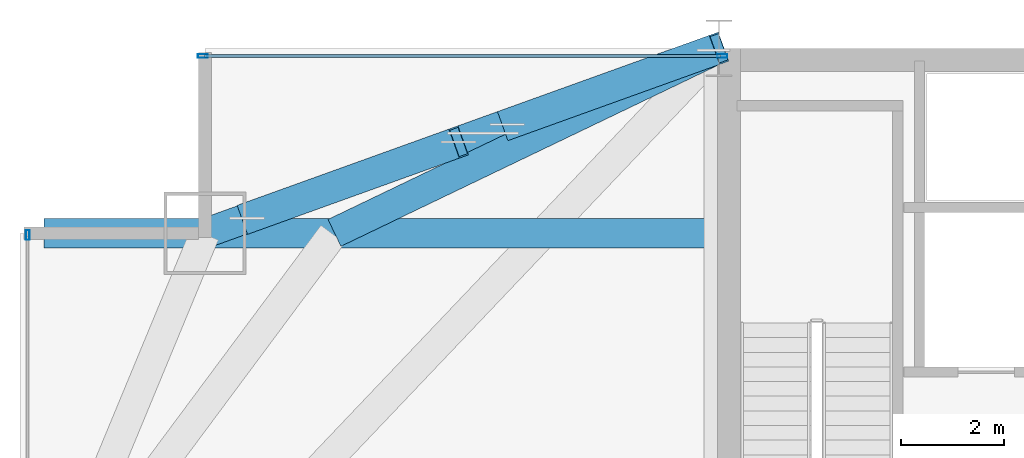
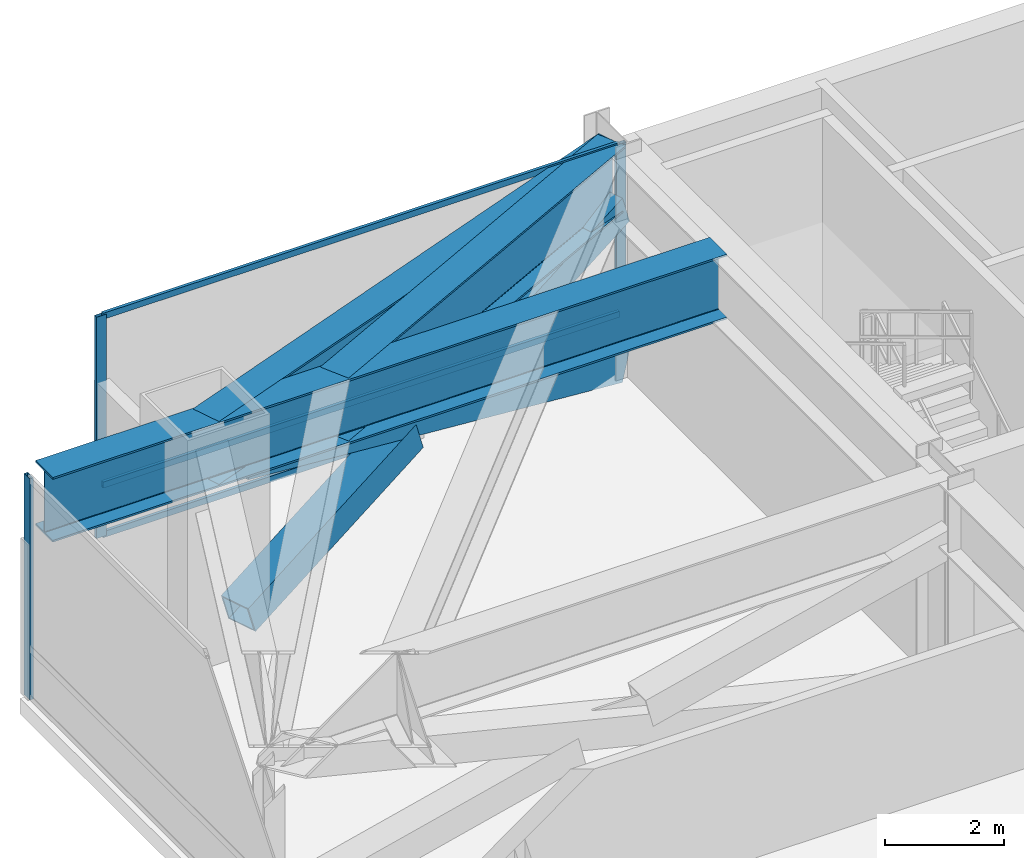
# One storey, part 22 of 30: 9 members, 3 beams, 2 elements without a shape of their own.
"""IFC4 building model written with IfcOpenShell, lengths in metres."""

import ifcopenshell
import ifcopenshell.guid

model = None  # the IFC model being written
_history = None  # IfcOwnerHistory: only IFC2X3 demands one
_inside = {}  # id of a spatial element -> (the spatial element, [elements in it])
_under = {}  # id of a project, library or spatial element -> (it, [spatial elements below it])
_declared = {}  # id of a project -> (the project, [libraries it declares])
_typed = {}  # id of a type object -> (the type object, [elements of that type])
_made_of = {}  # id of a material, layer set ... -> (it, [elements and type objects made of it])


def new_model(schema):
    """Start an empty IFC model of exactly this schema.

    Asked for "IFC4X3", IfcOpenShell would pick the latest addendum, in which some entities
    have other attributes; the version numbers below select the first issue.
    IFC2X3 requires an IfcOwnerHistory on every rooted entity: one is made here for all.
    """
    global model, _history
    if schema == "IFC4X3":
        model = ifcopenshell.file(schema_version=(4, 3, 0, 0))
    else:
        model = ifcopenshell.file(schema=schema)
    _inside.clear()
    _under.clear()
    _declared.clear()
    _typed.clear()
    _made_of.clear()
    _history = None
    if model.schema == "IFC2X3":
        org = make("IfcOrganization", Name="unknown")
        user = make(
            "IfcPersonAndOrganization",
            ThePerson=make("IfcPerson", FamilyName="unknown"),
            TheOrganization=org,
        )
        app = make(
            "IfcApplication",
            ApplicationDeveloper=org,
            Version="unknown",
            ApplicationFullName="unknown",
            ApplicationIdentifier="unknown",
        )
        _history = make(
            "IfcOwnerHistory",
            OwningUser=user,
            OwningApplication=app,
            ChangeAction="ADDED",
            CreationDate=0,
        )
    return model


def make(cls, **values):
    """One entity of the class cls with the attributes given. An attribute that is None is left unset."""
    return model.create_entity(
        cls, **{name: value for name, value in values.items() if value is not None}
    )


def rooted(cls, **values):
    """An entity with a GlobalId (a new one), such as an element, a storey or a relation."""
    return make(cls, GlobalId=ifcopenshell.guid.new(), OwnerHistory=_history, **values)


def si_unit(unit_type, name, prefix=None):
    """IfcSIUnit, for example si_unit("LENGTHUNIT", "METRE", prefix="MILLI")."""
    return make("IfcSIUnit", UnitType=unit_type, Prefix=prefix, Name=name)


def assignment(units):
    """IfcUnitAssignment: the units of a project."""
    return None if units is None else make("IfcUnitAssignment", Units=units)


def point(xyz):
    """IfcCartesianPoint."""
    return None if xyz is None else make("IfcCartesianPoint", Coordinates=xyz)


def direction(xyz):
    """IfcDirection."""
    return None if xyz is None else make("IfcDirection", DirectionRatios=xyz)


def frame(location, z_axis=None, x_axis=None):
    """IfcAxis2Placement3D, a coordinate frame: its origin and axes. An axis left out is left unset."""
    return make(
        "IfcAxis2Placement3D",
        Location=point(location),
        Axis=direction(z_axis),
        RefDirection=direction(x_axis),
    )


def frame_2d(location, x_axis=None):
    """IfcAxis2Placement2D, a coordinate frame in the plane: its origin and x axis."""
    return make(
        "IfcAxis2Placement2D", Location=point(location), RefDirection=direction(x_axis)
    )


def origin():
    """The frame at (0, 0, 0) with its axes left unset."""
    return frame((0.0, 0.0, 0.0))


def origin_2d():
    """The frame at (0, 0) in the plane with its x axis left unset."""
    return frame_2d((0.0, 0.0))


def place(relative_to, where):
    """IfcLocalPlacement: puts the frame where relative to a parent placement (None: the world)."""
    return make(
        "IfcLocalPlacement", PlacementRelTo=relative_to, RelativePlacement=where
    )


def context(
    kind, dimensions, precision=None, world=None, true_north=None, identifier=None
):
    """IfcGeometricRepresentationContext, for example the 3D "Model" context."""
    return make(
        "IfcGeometricRepresentationContext",
        ContextIdentifier=identifier,
        ContextType=kind,
        CoordinateSpaceDimension=dimensions,
        Precision=precision,
        WorldCoordinateSystem=world,
        TrueNorth=true_north,
    )


def subcontext(parent, identifier, kind, view, scale=None):
    """IfcGeometricRepresentationSubContext, for example "Body" below "Model"."""
    return make(
        "IfcGeometricRepresentationSubContext",
        ContextIdentifier=identifier,
        ContextType=kind,
        ParentContext=parent,
        TargetScale=scale,
        TargetView=view,
    )


def project(units=None, contexts=None):
    """IfcProject with its units and contexts."""
    return rooted(
        "IfcProject",
        Name="project",
        RepresentationContexts=contexts,
        UnitsInContext=assignment(units),
    )


def spatial(cls, under=None, at=None, **own):
    """A site, building, storey or space (cls), placed at a placement, below another one or the project."""
    s = rooted(cls, ObjectPlacement=at, **own)
    if under is not None:
        _under.setdefault(under.id(), (under, []))[1].append(s)
    return s


def profile(cls, at=None, kind="AREA", **sizes):
    """A parametric profile (cls). Its sizes go by their IFC names, for example OverallWidth=200.0."""
    return make(cls, ProfileType=kind, Position=at, **sizes)


def hollow_rectangle(**sizes):
    """IfcRectangleHollowProfileDef."""
    return profile("IfcRectangleHollowProfileDef", **sizes)


def i_section(**sizes):
    """IfcIShapeProfileDef."""
    return profile("IfcIShapeProfileDef", **sizes)


def extrude(swept, where, along, depth):
    """IfcExtrudedAreaSolid: the profile swept, set in the frame where, extruded along a direction by depth."""
    return make(
        "IfcExtrudedAreaSolid",
        SweptArea=swept,
        Position=where,
        ExtrudedDirection=direction(along),
        Depth=depth,
    )


def shape(context_of_items, identifier, shape_type, items):
    """IfcShapeRepresentation: the items that make up one representation, for example the "Body"."""
    return make(
        "IfcShapeRepresentation",
        ContextOfItems=context_of_items,
        RepresentationIdentifier=identifier,
        RepresentationType=shape_type,
        Items=items,
    )


def source(mapping_origin, context_of_items, identifier, shape_type, items):
    """IfcRepresentationMap: a shape defined once, which mapped items show again and again."""
    return make(
        "IfcRepresentationMap",
        MappingOrigin=mapping_origin,
        MappedRepresentation=shape(context_of_items, identifier, shape_type, items),
    )


def transform(
    local_origin,
    x_axis=None,
    y_axis=None,
    z_axis=None,
    scale=None,
    scale2=None,
    scale3=None,
    uniform=True,
):
    """IfcCartesianTransformationOperator3D, or its non-uniform kind. x_axis, y_axis, z_axis: its Axis1, 2, 3."""
    if uniform:
        return make(
            "IfcCartesianTransformationOperator3D",
            Axis1=direction(x_axis),
            Axis2=direction(y_axis),
            LocalOrigin=point(local_origin),
            Scale=scale,
            Axis3=direction(z_axis),
        )
    return make(
        "IfcCartesianTransformationOperator3DnonUniform",
        Axis1=direction(x_axis),
        Axis2=direction(y_axis),
        LocalOrigin=point(local_origin),
        Scale=scale,
        Axis3=direction(z_axis),
        Scale2=scale2,
        Scale3=scale3,
    )


def mapped(mapping_source, mapping_target):
    """IfcMappedItem: shows the shape of a source again, moved by a transform."""
    return make(
        "IfcMappedItem", MappingSource=mapping_source, MappingTarget=mapping_target
    )


def material(Name=None, Category=None):
    """IfcMaterial."""
    return make("IfcMaterial", Name=Name, Category=Category)


def layer(
    of_material, thickness, ventilated=None, Name=None, Category=None, Priority=None
):
    """IfcMaterialLayer: one layer of a wall or slab, of a material (None: an air gap)."""
    return make(
        "IfcMaterialLayer",
        Material=of_material,
        LayerThickness=thickness,
        IsVentilated=ventilated,
        Name=Name,
        Category=Category,
        Priority=Priority,
    )


def layer_set(layers, Name=None):
    """IfcMaterialLayerSet."""
    return make("IfcMaterialLayerSet", MaterialLayers=layers, LayerSetName=Name)


def material_profile(
    of_material, cross_section, Name=None, Category=None, Priority=None
):
    """IfcMaterialProfile: a cross section and its material."""
    return make(
        "IfcMaterialProfile",
        Name=Name,
        Material=of_material,
        Profile=cross_section,
        Priority=Priority,
        Category=Category,
    )


def profile_set(profiles, Name=None, composite=None):
    """IfcMaterialProfileSet."""
    return make(
        "IfcMaterialProfileSet",
        Name=Name,
        MaterialProfiles=profiles,
        CompositeProfile=composite,
    )


def made_of(thing, what):
    """Note that an element or type object is made of a material, layer set ...; save() writes the relation."""
    if what is not None:
        _made_of.setdefault(what.id(), (what, []))[1].append(thing)
    return thing


def type_object(cls, material=None, **own):
    """A type object (cls), such as IfcWallType, which elements share."""
    return made_of(rooted(cls, **own), material)


def type_shapes(of_type, sources):
    """Give a type object the sources (RepresentationMaps) that its elements show as mapped items."""
    of_type.RepresentationMaps = sources


def element(
    cls,
    number,
    at=None,
    inside=None,
    cuts=None,
    type_object=None,
    material=None,
    context=None,
    identifier="Body",
    shape_type=None,
    held_by="IfcProductDefinitionShape",
    body=None,
    shapes=None,
    **own,
):
    """One element of the class cls, such as IfcWall. Its Tag is "e" and its number.

    at: its placement. inside: the storey or other place that contains it. cuts: it is an
    opening in that element (IfcRelVoidsElement). A single representation is given by context,
    identifier, shape_type and body (its items); several are given by shapes. held_by: the class
    of the entity that holds the representations. save() writes the other relations.
    """
    e = rooted(cls, Tag="e%d" % number, ObjectPlacement=at, **own)
    if body is not None:
        shapes = [shape(context, identifier, shape_type, body)]
    if shapes is not None:
        e.Representation = make(held_by, Representations=shapes)
    if inside is not None:
        _inside.setdefault(inside.id(), (inside, []))[1].append(e)
    if cuts is not None:
        rooted(
            "IfcRelVoidsElement", RelatingBuildingElement=cuts, RelatedOpeningElement=e
        )
    if type_object is not None:
        _typed.setdefault(type_object.id(), (type_object, []))[1].append(e)
    return made_of(e, material)


def aggregate(whole, parts):
    """IfcRelAggregates: a whole, such as a stair, and the parts it consists of."""
    return rooted("IfcRelAggregates", RelatingObject=whole, RelatedObjects=parts)


def save(model, path):
    """Write the relations noted so far, then the file.

    IfcRelAggregates (storeys below a building ...), IfcRelContainedInSpatialStructure (elements
    in a storey), IfcRelDefinesByType, IfcRelAssociatesMaterial and IfcRelDeclares: one each for
    every whole, place, type object, material and project.
    """
    for whole, parts in _under.values():
        aggregate(whole, parts)
    for where, things in _inside.values():
        rooted(
            "IfcRelContainedInSpatialStructure",
            RelatedElements=things,
            RelatingStructure=where,
        )
    for kind, things in _typed.values():
        rooted("IfcRelDefinesByType", RelatedObjects=things, RelatingType=kind)
    for what, things in _made_of.values():
        rooted("IfcRelAssociatesMaterial", RelatedObjects=things, RelatingMaterial=what)
    for by, libraries in _declared.values():
        rooted("IfcRelDeclares", RelatingContext=by, RelatedDefinitions=libraries)
    model.write(path)


model = new_model("IFC4")

# Units and contexts
model_context = context("Model", 3, precision=1e-05, world=origin(), true_north=direction((0.0, 1.0)))
body_context = subcontext(model_context, "Body", "Model", "MODEL_VIEW")
ifc_project = project(units=[si_unit("LENGTHUNIT", "METRE"), si_unit("AREAUNIT", "SQUARE_METRE"), si_unit("VOLUMEUNIT", "CUBIC_METRE"), si_unit("PLANEANGLEUNIT", "RADIAN"), si_unit("MASSUNIT", "GRAM", prefix="KILO")], contexts=[model_context])

# Site, building, storey
site_placement = place(None, origin())
site = spatial("IfcSite", under=ifc_project, at=site_placement, CompositionType="ELEMENT")
building_placement = place(site_placement, origin())
building = spatial("IfcBuilding", under=site, at=building_placement, Name="Varnel Quay Broadcast Tower", CompositionType="ELEMENT")
storey_placement = place(building_placement, frame((0.0, 0.0, 82.199951171875)))
storey = spatial("IfcBuildingStorey", under=building, at=storey_placement, Name="L19", CompositionType="ELEMENT", Elevation=82.199951171875)

# Beams
ifc_material_1 = material(Name="Structural Steel CSA G40.21 350WT", Category="steel")
ifc_material_profile_1 = material_profile(ifc_material_1, i_section(OverallWidth=0.580078125, OverallDepth=1.330078125, WebThickness=0.02197265625, FlangeThickness=0.0380859375, FilletRadius=0.02001953125, at=origin_2d()), Name="WWF1330X535")
ifc_profile_set_1 = profile_set([ifc_material_profile_1], Name="Structural Steel CSA G40.21 350WT")
beam_type = type_object("IfcBeamType", Name="Girder_WWF1330X535", PredefinedType="BEAM", material=ifc_profile_set_1)
shared_shape_1 = source(origin(), body_context, "Body", "SweptSolid", [
    extrude(i_section(OverallWidth=0.580078125, OverallDepth=1.330078125, WebThickness=0.02197265625, FlangeThickness=0.0380859375, FilletRadius=0.02001953125, at=origin_2d()), origin(), (0.0, 0.0, 1.0), 13.110107421875),
])
beam_1_placement = place(storey_placement, frame((2.469970703125, 43.199951171875, 3.885009765625), z_axis=(1.0, 0.0, 0.0), x_axis=(0.0, 1.0, 0.0)))
element("IfcBeam", 1, at=beam_1_placement, inside=storey, type_object=beam_type, Name="L19 Setback NW Mega-Column Transfer", PredefinedType="BEAM", context=body_context, shape_type="MappedRepresentation", body=[
    mapped(shared_shape_1, transform((0.0, 0.0, 0.0), x_axis=(1.0, 0.0, 0.0), y_axis=(0.0, 1.0, 0.0), z_axis=(0.0, 0.0, 1.0), scale=1.0)),
])
shared_shape_2 = source(origin(), body_context, "Body", "SweptSolid", [
    extrude(i_section(OverallWidth=0.580078125, OverallDepth=1.330078125, WebThickness=0.02197265625, FlangeThickness=0.0380859375, FilletRadius=0.02001953125, at=origin_2d()), origin(), (0.0, 0.0, 1.0), 10.58837890625),
])
beam_2_placement = place(storey_placement, frame((5.618896484375, 43.206787109375, 3.885009765625), z_axis=(0.940888587605, 0.338716202321, 0.0), x_axis=(-0.338716202321, 0.940888587605, 0.0)))
element("IfcBeam", 2, at=beam_2_placement, inside=storey, type_object=beam_type, Name="L19 NW Transfer Spine", PredefinedType="BEAM", context=body_context, shape_type="MappedRepresentation", body=[
    mapped(shared_shape_2, transform((0.0, 0.0, 0.0), x_axis=(1.0, 0.0, 0.0), y_axis=(0.0, 1.0, 0.0), z_axis=(0.0, 0.0, 1.0), scale=1.0)),
])
shared_shape_3 = source(origin(), body_context, "Body", "SweptSolid", [
    extrude(i_section(OverallWidth=0.580078125, OverallDepth=1.330078125, WebThickness=0.02197265625, FlangeThickness=0.0380859375, FilletRadius=0.02001953125, at=origin_2d()), origin(), (0.0, 0.0, 1.0), 8.279296875),
])
type_shapes(beam_type, [shared_shape_1, shared_shape_2, shared_shape_3])
beam_3_placement = place(storey_placement, frame((15.58203125, 46.791259765625, 3.885009765625), z_axis=(-0.901535021024, -0.432706142626, 0.0), x_axis=(0.432706142626, -0.901535021024, 0.0)))
element("IfcBeam", 3, at=beam_3_placement, inside=storey, type_object=beam_type, Name="L19 Nodal Transfer Tie MC-NW-CC-N1", PredefinedType="BEAM", context=body_context, shape_type="MappedRepresentation", body=[
    mapped(shared_shape_3, transform((0.0, 0.0, 0.0), x_axis=(1.0, 0.0, 0.0), y_axis=(0.0, 1.0, 0.0), z_axis=(0.0, 0.0, 1.0), scale=1.0)),
])

# Members
ifc_material_profile_2 = material_profile(ifc_material_1, hollow_rectangle(XDim=0.60009765625, YDim=0.60009765625, WallThickness=0.028076171875, at=origin_2d()), Name="BOX600X600X28")
ifc_profile_set_2 = profile_set([ifc_material_profile_2], Name="Structural Steel CSA G40.21 350WT")
member_type_1 = type_object("IfcMemberType", Name="Outrigger_BOX600X600X28", PredefinedType="BRACE", material=ifc_profile_set_2)
shared_shape_4 = source(origin(), body_context, "Body", "SweptSolid", [
    extrude(hollow_rectangle(XDim=0.60009765625, YDim=0.60009765625, WallThickness=0.028076171875, at=origin_2d()), origin(), (0.0, 0.0, 1.0), 10.280517578125),
])
member_1_placement = place(storey_placement, frame((15.60009765625, 46.800048828125, 0.02001953125), z_axis=(-0.893547082509, -0.321668400377, 0.313214066635), x_axis=(0.338711498803, -0.94089028084, 0.0)))
element("IfcMember", 4, at=member_1_placement, inside=storey, type_object=member_type_1, Name="L19 Outrigger NW Continuous Diag A", PredefinedType="BRACE", context=body_context, shape_type="MappedRepresentation", body=[
    mapped(shared_shape_4, transform((0.0, 0.0, 0.0), x_axis=(1.0, 0.0, 0.0), y_axis=(0.0, 1.0, 0.0), z_axis=(0.0, 0.0, 1.0), scale=1.0)),
])
shared_shape_5 = source(origin(), body_context, "Body", "SweptSolid", [
    extrude(hollow_rectangle(XDim=0.60009765625, YDim=0.60009765625, WallThickness=0.028076171875, at=origin_2d()), origin(), (0.0, 0.0, 1.0), 4.61083984375),
])
type_shapes(member_type_1, [shared_shape_4, shared_shape_5])
for number, where, z_axis, x_axis, name in (
    (5, (6.4140625, 43.4931640625, 0.02001953125), (0.893532398812, 0.321671663572, 0.313252602748), (-0.338719468273, 0.940887411869, 0.0), "L19 Outrigger NW Split Diag B1"),
    (6, (11.47998046875, 45.31689453125, 1.7958984375), (0.893557891466, 0.321661779489, 0.313190028918), (-0.338701699788, 0.940893808334, 0.0), "L19 Outrigger NW Split Diag B2"),
):
    element("IfcMember", number, at=place(storey_placement, frame(where, z_axis=z_axis, x_axis=x_axis)), inside=storey, type_object=member_type_1, Name=name, PredefinedType="BRACE", context=body_context, shape_type="MappedRepresentation", body=[
        mapped(shared_shape_5, transform((0.0, 0.0, 0.0), x_axis=(1.0, 0.0, 0.0), y_axis=(0.0, 1.0, 0.0), z_axis=(0.0, 0.0, 1.0), scale=1.0)),
    ])

# Curtain wall, member
ifc_material_2 = material(Name="Anodised Bronze Aluminium 6063-T6", Category="aluminium")
ifc_layer_1 = layer(ifc_material_2, 0.18994140625, Name="Anodised Bronze Aluminium 6063-T6")
ifc_layer_set_1 = layer_set([ifc_layer_1], Name="Anodised Bronze Aluminium 6063-T6")
curtain_wall_type_1 = type_object("IfcCurtainWallType", Name="CW_LowerTower", PredefinedType="NOTDEFINED", material=ifc_layer_set_1)
curtain_wall_1_placement = place(storey_placement, origin())
curtain_wall_1 = element("IfcCurtainWall", 7, at=curtain_wall_1_placement, inside=storey, type_object=curtain_wall_type_1, Name="L19 West Unitised Curtain Wall", PredefinedType="NOTDEFINED")
ifc_material_profile_3 = material_profile(ifc_material_2, hollow_rectangle(XDim=0.070068359375, YDim=0.18994140625, WallThickness=0.00390625, at=origin_2d()), Name="ALU70X190X4")
ifc_profile_set_3 = profile_set([ifc_material_profile_3], Name="Anodised Bronze Aluminium 6063-T6")
member_type_2 = type_object("IfcMemberType", Name="Mull_CWS-02", PredefinedType="MULLION", material=ifc_profile_set_3)
shared_shape_6 = source(origin(), body_context, "Body", "SweptSolid", [
    extrude(hollow_rectangle(XDim=0.070068359375, YDim=0.18994140625, WallThickness=0.00390625, at=origin_2d()), origin(), (0.0, 0.0, 1.0), 4.550048828125),
])
type_shapes(member_type_2, [shared_shape_6])
member_2_placement = place(storey_placement, frame((2.14990234375, 43.1650390625, 0.0), z_axis=(0.0, 0.0, 1.0), x_axis=(-1.0, 0.0, 0.0)))
member_2 = element("IfcMember", 8, at=member_2_placement, type_object=member_type_2, Name="CWS-02 mullion 4", PredefinedType="MULLION", context=body_context, shape_type="MappedRepresentation", body=[
    mapped(shared_shape_6, transform((0.0, 0.0, 0.0), x_axis=(1.0, 0.0, 0.0), y_axis=(0.0, 1.0, 0.0), z_axis=(0.0, 0.0, 1.0), scale=1.0)),
])
aggregate(curtain_wall_1, [member_2])

# Curtain wall, members
ifc_layer_2 = layer(ifc_material_2, 0.18994140625, Name="Anodised Bronze Aluminium 6063-T6")
ifc_layer_set_2 = layer_set([ifc_layer_2], Name="Anodised Bronze Aluminium 6063-T6")
curtain_wall_type_2 = type_object("IfcCurtainWallType", Name="CW_CrownScreen", PredefinedType="NOTDEFINED", material=ifc_layer_set_2)
curtain_wall_2_placement = place(storey_placement, origin())
curtain_wall_2 = element("IfcCurtainWall", 9, at=curtain_wall_2_placement, inside=storey, type_object=curtain_wall_type_2, Name="L19 NW Wing Curtain Wall", PredefinedType="NOTDEFINED")
ifc_material_profile_4 = material_profile(ifc_material_2, hollow_rectangle(XDim=0.070068359375, YDim=0.18994140625, WallThickness=0.00390625, at=origin_2d()), Name="ALU70X190X4")
ifc_profile_set_4 = profile_set([ifc_material_profile_4], Name="Anodised Bronze Aluminium 6063-T6")
member_type_3 = type_object("IfcMemberType", Name="Mull_CWS-06", PredefinedType="MULLION", material=ifc_profile_set_4)
shared_shape_7 = source(origin(), body_context, "Body", "SweptSolid", [
    extrude(hollow_rectangle(XDim=0.070068359375, YDim=0.18994140625, WallThickness=0.00390625, at=origin_2d()), origin(), (0.0, 0.0, 1.0), 4.550048828125),
])
type_shapes(member_type_3, [shared_shape_7])
member_3_placement = place(storey_placement, frame((5.554931640625, 46.64990234375, 0.0), z_axis=(0.0, 0.0, 1.0), x_axis=(0.0, 1.0, 0.0)))
member_3 = element("IfcMember", 10, at=member_3_placement, type_object=member_type_3, Name="CWS-06 mullion 1", PredefinedType="MULLION", context=body_context, shape_type="MappedRepresentation", body=[
    mapped(shared_shape_7, transform((0.0, 0.0, 0.0), x_axis=(1.0, 0.0, 0.0), y_axis=(0.0, 1.0, 0.0), z_axis=(0.0, 0.0, 1.0), scale=1.0)),
])
member_4_placement = place(storey_placement, frame((15.6650390625, 46.64990234375, 0.0), z_axis=(0.0, 0.0, 1.0), x_axis=(0.0, 1.0, 0.0)))
member_4 = element("IfcMember", 11, at=member_4_placement, type_object=member_type_3, Name="CWS-06 mullion 2", PredefinedType="MULLION", context=body_context, shape_type="MappedRepresentation", body=[
    mapped(shared_shape_7, transform((0.0, 0.0, 0.0), x_axis=(1.0, 0.0, 0.0), y_axis=(0.0, 1.0, 0.0), z_axis=(0.0, 0.0, 1.0), scale=1.0)),
])
ifc_material_profile_5 = material_profile(ifc_material_2, hollow_rectangle(XDim=0.06005859375, YDim=0.125, WallThickness=0.0029296875, at=origin_2d()), Name="ALU60X125X3")
ifc_profile_set_5 = profile_set([ifc_material_profile_5], Name="Anodised Bronze Aluminium 6063-T6")
member_type_4 = type_object("IfcMemberType", Name="Tran_CWS-06", PredefinedType="USERDEFINED", material=ifc_profile_set_5)
shared_shape_8 = source(origin(), body_context, "Body", "SweptSolid", [
    extrude(hollow_rectangle(XDim=0.06005859375, YDim=0.125, WallThickness=0.0029296875, at=origin_2d()), origin(), (0.0, 0.0, 1.0), 10.039794921875),
])
type_shapes(member_type_4, [shared_shape_8])
member_5_placement = place(storey_placement, frame((5.590087890625, 46.64990234375, 0.030029296875), z_axis=(1.0, 0.0, 0.0), x_axis=(0.0, 1.0, 0.0)))
member_5 = element("IfcMember", 12, at=member_5_placement, type_object=member_type_4, Name="CWS-06 transom 1.1", ObjectType="TRANSOM", PredefinedType="USERDEFINED", context=body_context, shape_type="MappedRepresentation", body=[
    mapped(shared_shape_8, transform((0.0, 0.0, 0.0), x_axis=(1.0, 0.0, 0.0), y_axis=(0.0, 1.0, 0.0), z_axis=(0.0, 0.0, 1.0), scale=1.0)),
])
member_6_placement = place(storey_placement, frame((5.590087890625, 46.64990234375, 1.050048828125), z_axis=(1.0, 0.0, 0.0), x_axis=(0.0, 1.0, 0.0)))
member_6 = element("IfcMember", 13, at=member_6_placement, type_object=member_type_4, Name="CWS-06 transom 1.2", ObjectType="TRANSOM", PredefinedType="USERDEFINED", context=body_context, shape_type="MappedRepresentation", body=[
    mapped(shared_shape_8, transform((0.0, 0.0, 0.0), x_axis=(1.0, 0.0, 0.0), y_axis=(0.0, 1.0, 0.0), z_axis=(0.0, 0.0, 1.0), scale=1.0)),
])
member_7_placement = place(storey_placement, frame((5.590087890625, 46.64990234375, 4.52001953125), z_axis=(1.0, 0.0, 0.0), x_axis=(0.0, 1.0, 0.0)))
member_7 = element("IfcMember", 14, at=member_7_placement, type_object=member_type_4, Name="CWS-06 transom 1.3", ObjectType="TRANSOM", PredefinedType="USERDEFINED", context=body_context, shape_type="MappedRepresentation", body=[
    mapped(shared_shape_8, transform((0.0, 0.0, 0.0), x_axis=(1.0, 0.0, 0.0), y_axis=(0.0, 1.0, 0.0), z_axis=(0.0, 0.0, 1.0), scale=1.0)),
])
aggregate(curtain_wall_2, [member_3, member_4, member_5, member_6, member_7])

save(model, "model.ifc")
